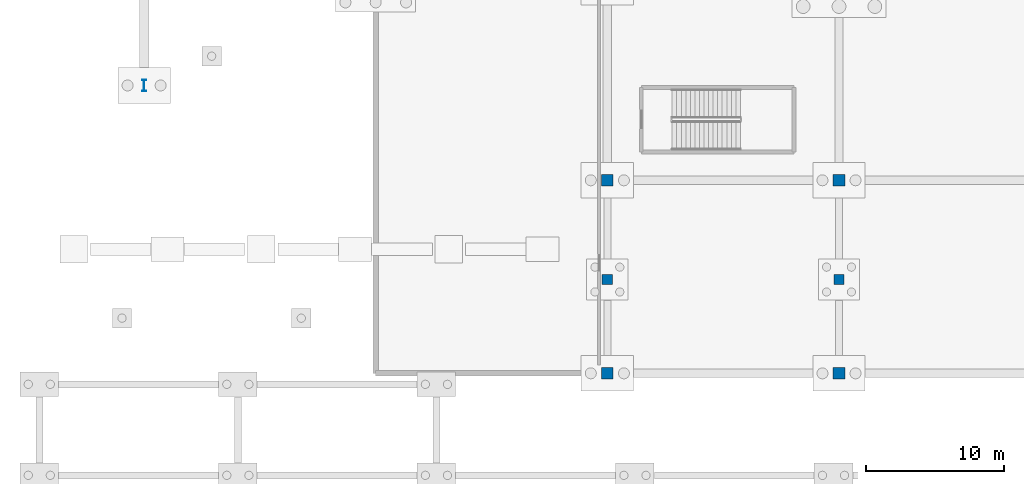
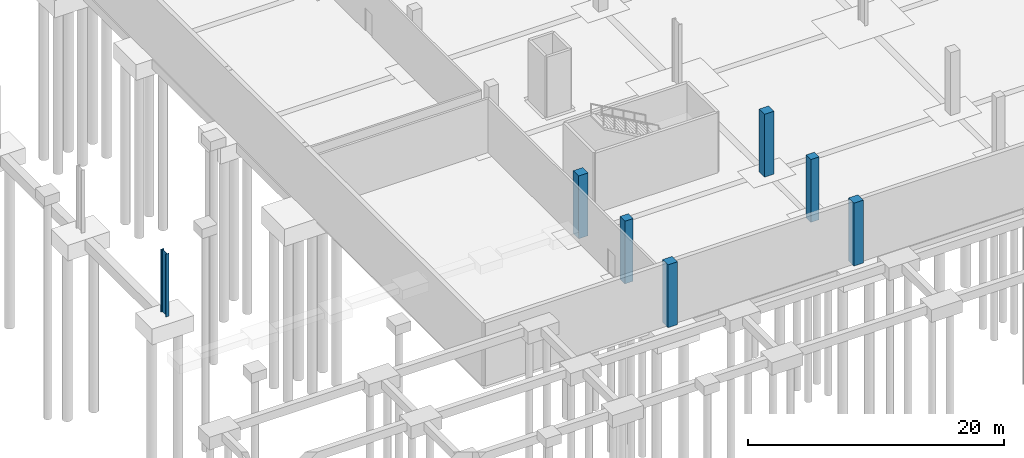
# One storey, part 8 of 46: 7 columns.
"""IFC4 building model written with IfcOpenShell, lengths in metres."""

import ifcopenshell
import ifcopenshell.guid

model = None  # the IFC model being written
_history = None  # IfcOwnerHistory: only IFC2X3 demands one
_inside = {}  # id of a spatial element -> (the spatial element, [elements in it])
_under = {}  # id of a project, library or spatial element -> (it, [spatial elements below it])
_declared = {}  # id of a project -> (the project, [libraries it declares])
_typed = {}  # id of a type object -> (the type object, [elements of that type])
_made_of = {}  # id of a material, layer set ... -> (it, [elements and type objects made of it])


def new_model(schema):
    """Start an empty IFC model of exactly this schema.

    Asked for "IFC4X3", IfcOpenShell would pick the latest addendum, in which some entities
    have other attributes; the version numbers below select the first issue.
    IFC2X3 requires an IfcOwnerHistory on every rooted entity: one is made here for all.
    """
    global model, _history
    if schema == "IFC4X3":
        model = ifcopenshell.file(schema_version=(4, 3, 0, 0))
    else:
        model = ifcopenshell.file(schema=schema)
    _inside.clear()
    _under.clear()
    _declared.clear()
    _typed.clear()
    _made_of.clear()
    _history = None
    if model.schema == "IFC2X3":
        org = make("IfcOrganization", Name="unknown")
        user = make(
            "IfcPersonAndOrganization",
            ThePerson=make("IfcPerson", FamilyName="unknown"),
            TheOrganization=org,
        )
        app = make(
            "IfcApplication",
            ApplicationDeveloper=org,
            Version="unknown",
            ApplicationFullName="unknown",
            ApplicationIdentifier="unknown",
        )
        _history = make(
            "IfcOwnerHistory",
            OwningUser=user,
            OwningApplication=app,
            ChangeAction="ADDED",
            CreationDate=0,
        )
    return model


def make(cls, **values):
    """One entity of the class cls with the attributes given. An attribute that is None is left unset."""
    return model.create_entity(
        cls, **{name: value for name, value in values.items() if value is not None}
    )


def rooted(cls, **values):
    """An entity with a GlobalId (a new one), such as an element, a storey or a relation."""
    return make(cls, GlobalId=ifcopenshell.guid.new(), OwnerHistory=_history, **values)


def si_unit(unit_type, name, prefix=None):
    """IfcSIUnit, for example si_unit("LENGTHUNIT", "METRE", prefix="MILLI")."""
    return make("IfcSIUnit", UnitType=unit_type, Prefix=prefix, Name=name)


def assignment(units):
    """IfcUnitAssignment: the units of a project."""
    return None if units is None else make("IfcUnitAssignment", Units=units)


def point(xyz):
    """IfcCartesianPoint."""
    return None if xyz is None else make("IfcCartesianPoint", Coordinates=xyz)


def direction(xyz):
    """IfcDirection."""
    return None if xyz is None else make("IfcDirection", DirectionRatios=xyz)


def frame(location, z_axis=None, x_axis=None):
    """IfcAxis2Placement3D, a coordinate frame: its origin and axes. An axis left out is left unset."""
    return make(
        "IfcAxis2Placement3D",
        Location=point(location),
        Axis=direction(z_axis),
        RefDirection=direction(x_axis),
    )


def frame_2d(location, x_axis=None):
    """IfcAxis2Placement2D, a coordinate frame in the plane: its origin and x axis."""
    return make(
        "IfcAxis2Placement2D", Location=point(location), RefDirection=direction(x_axis)
    )


def origin():
    """The frame at (0, 0, 0) with its axes left unset."""
    return frame((0.0, 0.0, 0.0))


def origin_2d():
    """The frame at (0, 0) in the plane with its x axis left unset."""
    return frame_2d((0.0, 0.0))


def place(relative_to, where):
    """IfcLocalPlacement: puts the frame where relative to a parent placement (None: the world)."""
    return make(
        "IfcLocalPlacement", PlacementRelTo=relative_to, RelativePlacement=where
    )


def context(
    kind, dimensions, precision=None, world=None, true_north=None, identifier=None
):
    """IfcGeometricRepresentationContext, for example the 3D "Model" context."""
    return make(
        "IfcGeometricRepresentationContext",
        ContextIdentifier=identifier,
        ContextType=kind,
        CoordinateSpaceDimension=dimensions,
        Precision=precision,
        WorldCoordinateSystem=world,
        TrueNorth=true_north,
    )


def subcontext(parent, identifier, kind, view, scale=None):
    """IfcGeometricRepresentationSubContext, for example "Body" below "Model"."""
    return make(
        "IfcGeometricRepresentationSubContext",
        ContextIdentifier=identifier,
        ContextType=kind,
        ParentContext=parent,
        TargetScale=scale,
        TargetView=view,
    )


def project(units=None, contexts=None):
    """IfcProject with its units and contexts."""
    return rooted(
        "IfcProject",
        Name="project",
        RepresentationContexts=contexts,
        UnitsInContext=assignment(units),
    )


def spatial(cls, under=None, at=None, **own):
    """A site, building, storey or space (cls), placed at a placement, below another one or the project."""
    s = rooted(cls, ObjectPlacement=at, **own)
    if under is not None:
        _under.setdefault(under.id(), (under, []))[1].append(s)
    return s


def profile(cls, at=None, kind="AREA", **sizes):
    """A parametric profile (cls). Its sizes go by their IFC names, for example OverallWidth=200.0."""
    return make(cls, ProfileType=kind, Position=at, **sizes)


def rectangle(**sizes):
    """IfcRectangleProfileDef."""
    return profile("IfcRectangleProfileDef", **sizes)


def i_section(**sizes):
    """IfcIShapeProfileDef."""
    return profile("IfcIShapeProfileDef", **sizes)


def extrude(swept, where, along, depth):
    """IfcExtrudedAreaSolid: the profile swept, set in the frame where, extruded along a direction by depth."""
    return make(
        "IfcExtrudedAreaSolid",
        SweptArea=swept,
        Position=where,
        ExtrudedDirection=direction(along),
        Depth=depth,
    )


def shape(context_of_items, identifier, shape_type, items):
    """IfcShapeRepresentation: the items that make up one representation, for example the "Body"."""
    return make(
        "IfcShapeRepresentation",
        ContextOfItems=context_of_items,
        RepresentationIdentifier=identifier,
        RepresentationType=shape_type,
        Items=items,
    )


def material(Name=None, Category=None):
    """IfcMaterial."""
    return make("IfcMaterial", Name=Name, Category=Category)


def material_profile(
    of_material, cross_section, Name=None, Category=None, Priority=None
):
    """IfcMaterialProfile: a cross section and its material."""
    return make(
        "IfcMaterialProfile",
        Name=Name,
        Material=of_material,
        Profile=cross_section,
        Priority=Priority,
        Category=Category,
    )


def profile_set(profiles, Name=None, composite=None):
    """IfcMaterialProfileSet."""
    return make(
        "IfcMaterialProfileSet",
        Name=Name,
        MaterialProfiles=profiles,
        CompositeProfile=composite,
    )


def made_of(thing, what):
    """Note that an element or type object is made of a material, layer set ...; save() writes the relation."""
    if what is not None:
        _made_of.setdefault(what.id(), (what, []))[1].append(thing)
    return thing


def type_object(cls, material=None, **own):
    """A type object (cls), such as IfcWallType, which elements share."""
    return made_of(rooted(cls, **own), material)


def element(
    cls,
    number,
    at=None,
    inside=None,
    cuts=None,
    type_object=None,
    material=None,
    context=None,
    identifier="Body",
    shape_type=None,
    held_by="IfcProductDefinitionShape",
    body=None,
    shapes=None,
    **own,
):
    """One element of the class cls, such as IfcWall. Its Tag is "e" and its number.

    at: its placement. inside: the storey or other place that contains it. cuts: it is an
    opening in that element (IfcRelVoidsElement). A single representation is given by context,
    identifier, shape_type and body (its items); several are given by shapes. held_by: the class
    of the entity that holds the representations. save() writes the other relations.
    """
    e = rooted(cls, Tag="e%d" % number, ObjectPlacement=at, **own)
    if body is not None:
        shapes = [shape(context, identifier, shape_type, body)]
    if shapes is not None:
        e.Representation = make(held_by, Representations=shapes)
    if inside is not None:
        _inside.setdefault(inside.id(), (inside, []))[1].append(e)
    if cuts is not None:
        rooted(
            "IfcRelVoidsElement", RelatingBuildingElement=cuts, RelatedOpeningElement=e
        )
    if type_object is not None:
        _typed.setdefault(type_object.id(), (type_object, []))[1].append(e)
    return made_of(e, material)


def aggregate(whole, parts):
    """IfcRelAggregates: a whole, such as a stair, and the parts it consists of."""
    return rooted("IfcRelAggregates", RelatingObject=whole, RelatedObjects=parts)


def save(model, path):
    """Write the relations noted so far, then the file.

    IfcRelAggregates (storeys below a building ...), IfcRelContainedInSpatialStructure (elements
    in a storey), IfcRelDefinesByType, IfcRelAssociatesMaterial and IfcRelDeclares: one each for
    every whole, place, type object, material and project.
    """
    for whole, parts in _under.values():
        aggregate(whole, parts)
    for where, things in _inside.values():
        rooted(
            "IfcRelContainedInSpatialStructure",
            RelatedElements=things,
            RelatingStructure=where,
        )
    for kind, things in _typed.values():
        rooted("IfcRelDefinesByType", RelatedObjects=things, RelatingType=kind)
    for what, things in _made_of.values():
        rooted("IfcRelAssociatesMaterial", RelatedObjects=things, RelatingMaterial=what)
    for by, libraries in _declared.values():
        rooted("IfcRelDeclares", RelatingContext=by, RelatedDefinitions=libraries)
    model.write(path)


model = new_model("IFC4")

# Units and contexts
model_context = context("Model", 3, precision=1e-05, world=origin(), true_north=direction((0.0, 1.0)))
body_context = subcontext(model_context, "Body", "Model", "MODEL_VIEW")
ifc_project = project(units=[si_unit("LENGTHUNIT", "METRE"), si_unit("AREAUNIT", "SQUARE_METRE"), si_unit("VOLUMEUNIT", "CUBIC_METRE"), si_unit("PLANEANGLEUNIT", "RADIAN"), si_unit("MASSUNIT", "GRAM", prefix="KILO")], contexts=[model_context])

# Site, building, storey
site_placement = place(None, origin())
site = spatial("IfcSite", under=ifc_project, at=site_placement, CompositionType="ELEMENT")
building_placement = place(site_placement, origin())
building = spatial("IfcBuilding", under=site, at=building_placement, Name="Kimbaza Rail Terminus", CompositionType="ELEMENT")
storey_placement = place(building_placement, frame((0.0, 0.0, -6.0)))
storey = spatial("IfcBuildingStorey", under=building, at=storey_placement, Name="B1", CompositionType="ELEMENT", Elevation=-6.0)

# Columns
ifc_material_1 = material(Name="Steel S355", Category="steel")
ifc_material_profile_1 = material_profile(ifc_material_1, i_section(OverallWidth=0.302978515625, OverallDepth=0.81396484375, WebThickness=0.02099609375, FlangeThickness=0.0400390625, FilletRadius=0.030029296875, at=origin_2d()), Name="HEM 800")
ifc_profile_set_1 = profile_set([ifc_material_profile_1], Name="Steel S355")
column_type_1 = type_object("IfcColumnType", Name="STR-COL-HEM800", PredefinedType="COLUMN", material=ifc_profile_set_1)
column_placement = place(storey_placement, frame((21.60009765625, 47.8759765625, 0.0), z_axis=(0.0, 0.0, 1.0), x_axis=(1.0, 0.0, 0.0)))
element("IfcColumn", 1, at=column_placement, inside=storey, type_object=column_type_1, Name="Viaduct Pier Column B1 VP-01", PredefinedType="COLUMN", context=body_context, shape_type="SweptSolid", body=[
    extrude(i_section(OverallWidth=0.302978515625, OverallDepth=0.81396484375, WebThickness=0.02099609375, FlangeThickness=0.0400390625, FilletRadius=0.030029296875, at=origin_2d()), origin(), (0.0, 0.0, 1.0), 6.0),
])
ifc_material_2 = material(Name="Concrete C40/50", Category="concrete")
ifc_material_profile_2 = material_profile(ifc_material_2, rectangle(XDim=0.75, YDim=0.75, at=origin_2d()), Name="RC 750x750")
ifc_profile_set_2 = profile_set([ifc_material_profile_2], Name="Concrete C40/50")
column_type_2 = type_object("IfcColumnType", Name="STR-COL-RC750", PredefinedType="COLUMN", material=ifc_profile_set_2)
for number, where, z_axis, x_axis, name in (
    (2, (55.199951171875, 33.800048828125, 0.0), (0.0, 0.0, 1.0), (1.0, 0.0, 0.0), "B1 Metro Column (0,col)"),
    (3, (72.0, 33.800048828125, 0.0), (0.0, 0.0, 1.0), (1.0, 0.0, 0.0), "B1 Metro Column (1,col)"),
):
    element("IfcColumn", number, at=place(storey_placement, frame(where, z_axis=z_axis, x_axis=x_axis)), inside=storey, type_object=column_type_2, Name=name, PredefinedType="COLUMN", context=body_context, shape_type="SweptSolid", body=[
        extrude(rectangle(XDim=0.75, YDim=0.75, at=origin_2d()), origin(), (0.0, 0.0, 1.0), 6.0),
    ])
ifc_material_3 = material(Name="Concrete C40/50", Category="concrete")
ifc_material_profile_3 = material_profile(ifc_material_3, rectangle(XDim=0.85009765625, YDim=0.85009765625, at=origin_2d()), Name="RC 850x850")
ifc_profile_set_3 = profile_set([ifc_material_profile_3], Name="Concrete C40/50")
column_type_3 = type_object("IfcColumnType", Name="STR-COL-RC850", PredefinedType="COLUMN", material=ifc_profile_set_3)
for number, where, z_axis, x_axis, name in (
    (4, (55.199951171875, 27.0, 0.0), (0.0, 0.0, 1.0), (1.0, 0.0, 0.0), "Metro Concourse B1 Column (0,0)"),
    (5, (55.199951171875, 41.0, 0.0), (0.0, 0.0, 1.0), (1.0, 0.0, 0.0), "Metro Concourse B1 Column (0,1)"),
    (6, (72.0, 27.0, 0.0), (0.0, 0.0, 1.0), (1.0, 0.0, 0.0), "Metro Concourse B1 Column (1,0)"),
    (7, (72.0, 41.0, 0.0), (0.0, 0.0, 1.0), (1.0, 0.0, 0.0), "Metro Concourse B1 Column (1,1)"),
):
    element("IfcColumn", number, at=place(storey_placement, frame(where, z_axis=z_axis, x_axis=x_axis)), inside=storey, type_object=column_type_3, Name=name, PredefinedType="COLUMN", context=body_context, shape_type="SweptSolid", body=[
        extrude(rectangle(XDim=0.85009765625, YDim=0.85009765625, at=origin_2d()), origin(), (0.0, 0.0, 1.0), 6.0),
    ])

save(model, "model.ifc")
